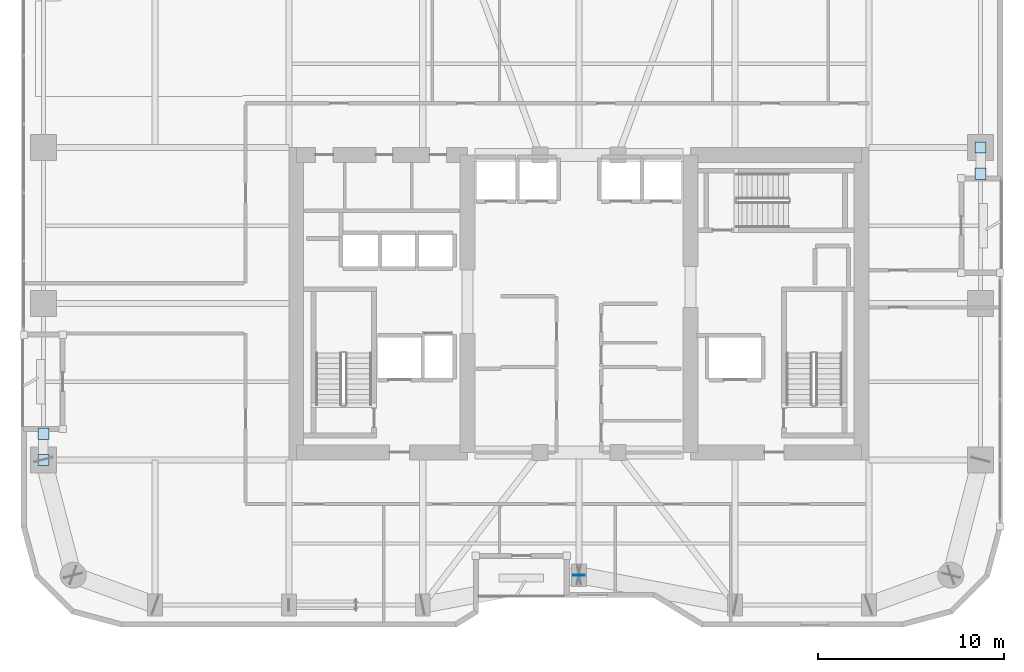
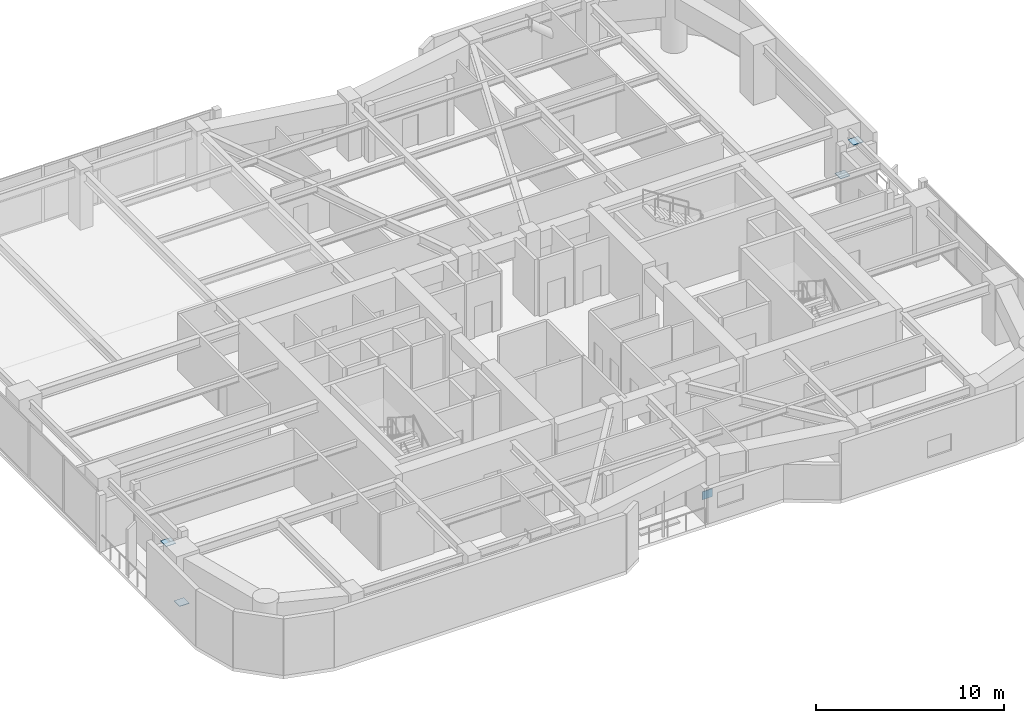
# One storey, part 24 of 31: 5 plates.
"""IFC4 building model written with IfcOpenShell, lengths in metres."""

from ifc_helpers import new_model, si_unit, direction, frame, origin, origin_2d, place, context, subcontext, project, spatial, rectangle, extrude, material, layer, layer_set, type_object, element, save


model = new_model("IFC4")

# Units and contexts
model_context = context("Model", 3, precision=1e-05, world=origin(), true_north=direction((0.0, 1.0)))
body_context = subcontext(model_context, "Body", "Model", "MODEL_VIEW")
ifc_project = project(units=[si_unit("LENGTHUNIT", "METRE"), si_unit("AREAUNIT", "SQUARE_METRE"), si_unit("VOLUMEUNIT", "CUBIC_METRE"), si_unit("PLANEANGLEUNIT", "RADIAN"), si_unit("MASSUNIT", "GRAM", prefix="KILO")], contexts=[model_context])

# Site, building, storey
site_placement = place(None, origin())
site = spatial("IfcSite", under=ifc_project, at=site_placement, CompositionType="ELEMENT")
building_placement = place(site_placement, origin())
building = spatial("IfcBuilding", under=site, at=building_placement, Name="Kiyonajd Concourse Tower", CompositionType="ELEMENT")
storey_placement = place(building_placement, frame((0.0, 0.0, 158.39990234375)))
storey = spatial("IfcBuildingStorey", under=building, at=storey_placement, Name="L40", CompositionType="ELEMENT", Elevation=158.39990234375)

# Plates
ifc_material = material(Name="Steel ASTM A572 Grade 50", Category="steel")
ifc_layer_1 = layer(ifc_material, 0.028076171875)
ifc_layer_set_1 = layer_set([ifc_layer_1], Name="Steel ASTM A572 Grade 50")
plate_type_1 = type_object("IfcPlateType", Name="PL-CAP-450", PredefinedType="USERDEFINED", material=ifc_layer_set_1)
for number, where, z_axis, x_axis, name in (
    (1, (19.199951171875, 27.595458984375, 0.27587890625), (0.0, 0.0, 1.0), (1.0, 0.0, 0.0), "L40 Hollow Brace End Cap Plate PBW"),
    (2, (19.199951171875, 29.004638671875, 3.326171875), (0.0, 0.0, 1.0), (1.0, 0.0, 0.0), "L40 Hollow Brace Top Cap Plate PBW"),
    (3, (69.60009765625, 44.404541015625, 0.27587890625), (0.0, 0.0, 1.0), (1.0, 0.0, 0.0), "L40 Hollow Brace End Cap Plate PBE"),
    (4, (69.60009765625, 42.995361328125, 3.326171875), (0.0, 0.0, 1.0), (1.0, 0.0, 0.0), "L40 Hollow Brace Top Cap Plate PBE"),
):
    element("IfcPlate", number, at=place(storey_placement, frame(where, z_axis=z_axis, x_axis=x_axis)), inside=storey, type_object=plate_type_1, Name=name, ObjectType="CAP PLATE", PredefinedType="USERDEFINED", context=body_context, shape_type="SweptSolid", body=[
        extrude(rectangle(XDim=0.60791015625, YDim=0.60791015625, at=origin_2d()), origin(), (0.0, 0.0, 1.0), 0.028076171875),
    ])
ifc_layer_2 = layer(ifc_material, 0.52001953125)
ifc_layer_set_2 = layer_set([ifc_layer_2], Name="Steel ASTM A572 Grade 50")
plate_type_2 = type_object("IfcPlateType", Name="PL-GUS-KN2", PredefinedType="USERDEFINED", material=ifc_layer_set_2)
plate_placement = place(storey_placement, frame((48.0, 21.39990234375, 0.739990234375), z_axis=(0.0, 0.0, 1.0), x_axis=(1.0, 0.0, 0.0)))
element("IfcPlate", 5, at=plate_placement, inside=storey, type_object=plate_type_2, Name="Structural Node Assembly Gusset KN4", ObjectType="GUSSET PLATE", PredefinedType="USERDEFINED", context=body_context, shape_type="SweptSolid", body=[
    extrude(rectangle(XDim=0.639892578125, YDim=0.035888671875, at=origin_2d()), origin(), (0.0, 0.0, 1.0), 0.52001953125),
])

save(model, "model.ifc")
